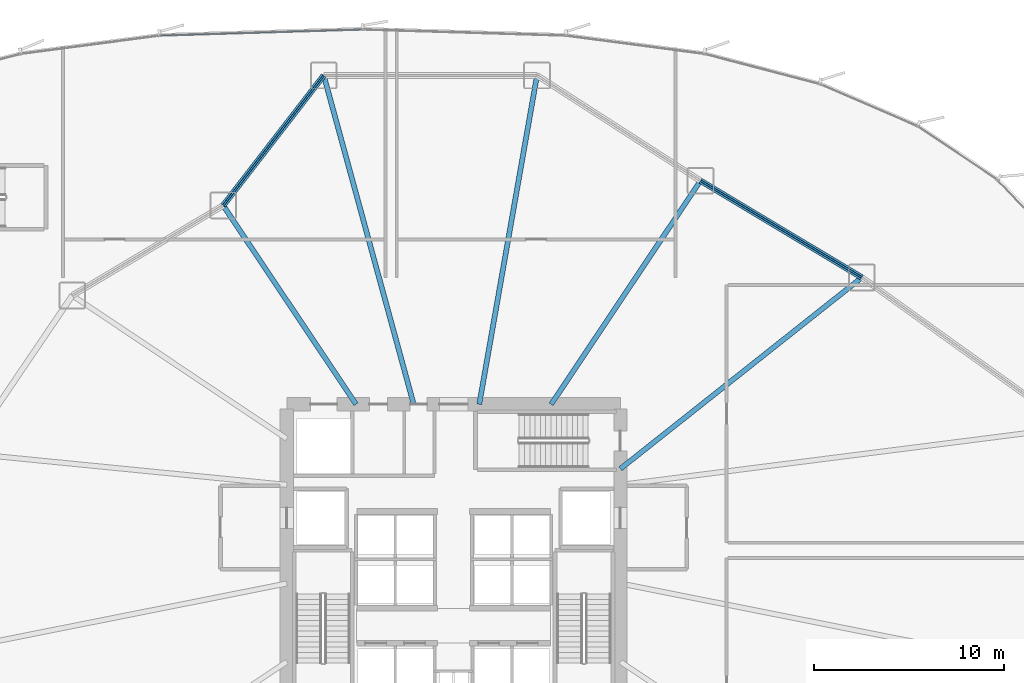
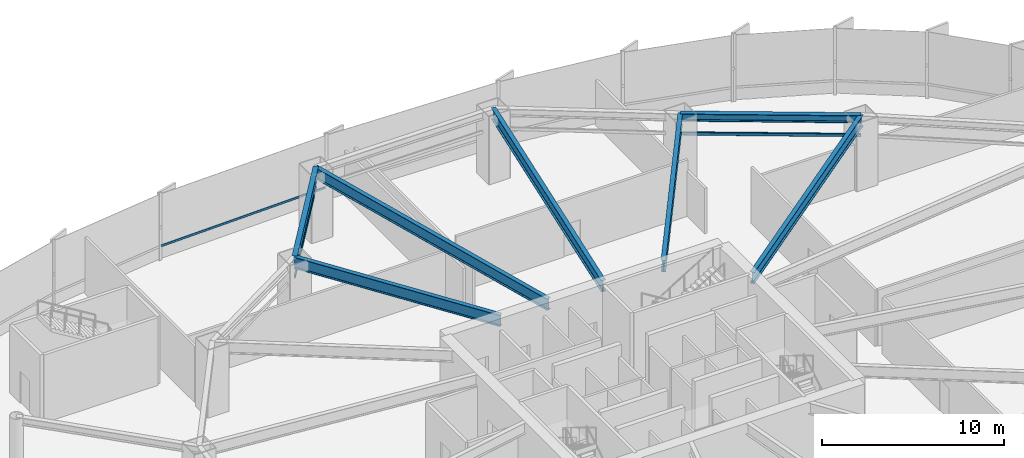
# One storey, part 13 of 34: 9 beams, 1 member, 1 element without a shape of its own.
"""IFC4 building model written with IfcOpenShell, lengths in metres."""

from ifc_helpers import new_model, si_unit, direction, frame, origin, origin_2d, place, context, subcontext, project, spatial, hollow_rectangle, i_section, extrude, source, transform, mapped, material, layer, layer_set, material_profile, profile_set, type_object, element, aggregate, save


model = new_model("IFC4")

# Units and contexts
model_context = context("Model", 3, precision=1e-05, world=origin(), true_north=direction((0.0, 1.0)))
body_context = subcontext(model_context, "Body", "Model", "MODEL_VIEW")
ifc_project = project(units=[si_unit("LENGTHUNIT", "METRE"), si_unit("AREAUNIT", "SQUARE_METRE"), si_unit("VOLUMEUNIT", "CUBIC_METRE"), si_unit("PLANEANGLEUNIT", "RADIAN"), si_unit("MASSUNIT", "GRAM", prefix="KILO"), si_unit("THERMODYNAMICTEMPERATUREUNIT", "KELVIN")], contexts=[model_context])

# Site, building, storey
site_placement = place(None, origin())
site = spatial("IfcSite", under=ifc_project, at=site_placement, CompositionType="ELEMENT")
building_placement = place(site_placement, origin())
building = spatial("IfcBuilding", under=site, at=building_placement, Name="Kethvar Cultural Tower", CompositionType="ELEMENT")
storey_placement = place(building_placement, frame((0.0, 0.0, 5.199951171875)))
storey = spatial("IfcBuildingStorey", under=building, at=storey_placement, Name="L01", CompositionType="ELEMENT", Elevation=5.199951171875)

# Beams
ifc_material_1 = material(Name="Steel S355J2", Category="steel")
ifc_material_profile_1 = material_profile(ifc_material_1, i_section(OverallWidth=0.300048828125, OverallDepth=0.5, WebThickness=0.014404296875, FlangeThickness=0.028076171875, FilletRadius=0.027099609375, at=origin_2d()), Name="Steel S355J2 — HEB500")
ifc_profile_set_1 = profile_set([ifc_material_profile_1], Name="Steel S355J2 — HEB500")
beam_type_1 = type_object("IfcBeamType", Name="BM-SP500", PredefinedType="SPANDREL", material=ifc_profile_set_1)
shared_shape_1 = source(origin(), body_context, "Body", "SweptSolid", [
    extrude(i_section(OverallWidth=0.300048828125, OverallDepth=0.5, WebThickness=0.014404296875, FlangeThickness=0.028076171875, FilletRadius=0.027099609375, at=origin_2d()), origin(), (0.0, 0.0, 1.0), 9.924072265625),
])
beam_1_placement = place(storey_placement, frame((68.33642578125, 42.190185546875, 4.298095703125), z_axis=(-0.857664361463, 0.514209921215, 0.0), x_axis=(-0.514209921215, -0.857664361463, 0.0)))
element("IfcBeam", 1, at=beam_1_placement, inside=storey, type_object=beam_type_1, Name="L01 Podium Ring Beam 02", PredefinedType="SPANDREL", context=body_context, shape_type="MappedRepresentation", body=[
    mapped(shared_shape_1, transform((0.0, 0.0, 0.0), scale=1.0)),
])
shared_shape_2 = source(origin(), body_context, "Body", "SweptSolid", [
    extrude(i_section(OverallWidth=0.300048828125, OverallDepth=0.5, WebThickness=0.014404296875, FlangeThickness=0.028076171875, FilletRadius=0.027099609375, at=origin_2d()), origin(), (0.0, 0.0, 1.0), 8.671630859375),
])
beam_2_placement = place(storey_placement, frame((39.949951171875, 52.85009765625, 4.298095703125), z_axis=(-0.611647801721, -0.791130183124, 0.0), x_axis=(0.791130183124, -0.611647801721, 0.0)))
element("IfcBeam", 2, at=beam_2_placement, inside=storey, type_object=beam_type_1, Name="L01 Podium Ring Beam 05", PredefinedType="SPANDREL", context=body_context, shape_type="MappedRepresentation", body=[
    mapped(shared_shape_2, transform((0.0, 0.0, 0.0), scale=1.0)),
])
ifc_material_profile_2 = material_profile(ifc_material_1, i_section(OverallWidth=0.26708984375, OverallDepth=0.761962890625, WebThickness=0.014404296875, FlangeThickness=0.021484375, FilletRadius=0.01708984375, at=origin_2d()), Name="Steel S355J2 — IPE750x173")
ifc_profile_set_2 = profile_set([ifc_material_profile_2], Name="Steel S355J2 — IPE750x173")
beam_type_2 = type_object("IfcBeamType", Name="BM-IPE750", PredefinedType="BEAM", material=ifc_profile_set_2)
shared_shape_3 = source(origin(), body_context, "Body", "SweptSolid", [
    extrude(i_section(OverallWidth=0.26708984375, OverallDepth=0.761962890625, WebThickness=0.014404296875, FlangeThickness=0.021484375, FilletRadius=0.01708984375, at=origin_2d()), origin(), (0.0, 0.0, 1.0), 16.248779296875),
])
beam_3_placement = place(storey_placement, frame((55.60009765625, 32.10009765625, 4.1669921875), z_axis=(0.783831288624, 0.620973840813, 0.0), x_axis=(-0.620973840813, 0.783831288624, 0.0)))
element("IfcBeam", 3, at=beam_3_placement, inside=storey, type_object=beam_type_2, Name="L01 Podium Radial Girder 02", PredefinedType="BEAM", context=body_context, shape_type="MappedRepresentation", body=[
    mapped(shared_shape_3, transform((0.0, 0.0, 0.0), scale=1.0)),
])
shared_shape_4 = source(origin(), body_context, "Body", "SweptSolid", [
    extrude(i_section(OverallWidth=0.26708984375, OverallDepth=0.761962890625, WebThickness=0.014404296875, FlangeThickness=0.021484375, FilletRadius=0.01708984375, at=origin_2d()), origin(), (0.0, 0.0, 1.0), 14.18359375),
])
beam_4_placement = place(storey_placement, frame((51.945068359375, 35.5, 4.1669921875), z_axis=(0.55556584065, 0.831472547174, 0.0), x_axis=(-0.831472547174, 0.55556584065, 0.0)))
element("IfcBeam", 4, at=beam_4_placement, inside=storey, type_object=beam_type_2, Name="L01 Podium Radial Girder 03", PredefinedType="BEAM", context=body_context, shape_type="MappedRepresentation", body=[
    mapped(shared_shape_4, transform((0.0, 0.0, 0.0), scale=1.0)),
])
shared_shape_5 = source(origin(), body_context, "Body", "SweptSolid", [
    extrude(i_section(OverallWidth=0.26708984375, OverallDepth=0.761962890625, WebThickness=0.014404296875, FlangeThickness=0.021484375, FilletRadius=0.01708984375, at=origin_2d()), origin(), (0.0, 0.0, 1.0), 17.61572265625),
])
beam_5_placement = place(storey_placement, frame((48.152587890625, 35.5, 4.1669921875), z_axis=(0.172991485085, 0.984923319903, 0.0), x_axis=(-0.984923319903, 0.172991485085, 0.0)))
element("IfcBeam", 5, at=beam_5_placement, inside=storey, type_object=beam_type_2, Name="L01 Podium Radial Girder 04", PredefinedType="BEAM", context=body_context, shape_type="MappedRepresentation", body=[
    mapped(shared_shape_5, transform((0.0, 0.0, 0.0), scale=1.0)),
])
shared_shape_6 = source(origin(), body_context, "Body", "SweptSolid", [
    extrude(i_section(OverallWidth=0.26708984375, OverallDepth=0.761962890625, WebThickness=0.014404296875, FlangeThickness=0.021484375, FilletRadius=0.01708984375, at=origin_2d()), origin(), (0.0, 0.0, 1.0), 17.987060546875),
])
beam_6_placement = place(storey_placement, frame((44.6943359375, 35.5, 4.1669921875), z_axis=(-0.26376624534, 0.964586630541, 0.0), x_axis=(-0.964586630541, -0.26376624534, 0.0)))
element("IfcBeam", 6, at=beam_6_placement, inside=storey, type_object=beam_type_2, Name="L01 Podium Radial Girder 05", PredefinedType="BEAM", context=body_context, shape_type="MappedRepresentation", body=[
    mapped(shared_shape_6, transform((0.0, 0.0, 0.0), scale=1.0)),
])
shared_shape_7 = source(origin(), body_context, "Body", "SweptSolid", [
    extrude(i_section(OverallWidth=0.26708984375, OverallDepth=0.761962890625, WebThickness=0.014404296875, FlangeThickness=0.021484375, FilletRadius=0.01708984375, at=origin_2d()), origin(), (0.0, 0.0, 1.0), 12.615966796875),
])
beam_7_placement = place(storey_placement, frame((41.655029296875, 35.5, 4.1669921875), z_axis=(-0.555570723257, 0.831469284736, 0.0), x_axis=(-0.831469284736, -0.555570723257, 0.0)))
element("IfcBeam", 7, at=beam_7_placement, inside=storey, type_object=beam_type_2, Name="L01 Podium Radial Girder 06", PredefinedType="BEAM", context=body_context, shape_type="MappedRepresentation", body=[
    mapped(shared_shape_7, transform((0.0, 0.0, 0.0), scale=1.0)),
])
ifc_material_profile_3 = material_profile(ifc_material_1, hollow_rectangle(XDim=0.10009765625, YDim=0.199951171875, WallThickness=0.008056640625, InnerFilletRadius=0.008056640625, OuterFilletRadius=0.01611328125, at=origin_2d()), Name="Steel S355J2 — RHS200x100x8")
ifc_profile_set_3 = profile_set([ifc_material_profile_3], Name="Steel S355J2 — RHS200x100x8")
beam_type_3 = type_object("IfcBeamType", Name="BM-LN200", PredefinedType="LINTEL", material=ifc_profile_set_3)
shared_shape_8 = source(origin(), body_context, "Body", "SweptSolid", [
    extrude(hollow_rectangle(XDim=0.10009765625, YDim=0.199951171875, WallThickness=0.008056640625, InnerFilletRadius=0.008056640625, OuterFilletRadius=0.01611328125, at=origin_2d()), origin(), (0.0, 0.0, 1.0), 9.924072265625),
])
beam_8_placement = place(storey_placement, frame((68.33642578125, 42.190185546875, 3.150146484375), z_axis=(-0.857664361463, 0.514209921215, 0.0), x_axis=(-0.514209921215, -0.857664361463, 0.0)))
element("IfcBeam", 8, at=beam_8_placement, inside=storey, type_object=beam_type_3, Name="L01 Header Lintel LN-08", PredefinedType="LINTEL", context=body_context, shape_type="MappedRepresentation", body=[
    mapped(shared_shape_8, transform((0.0, 0.0, 0.0), scale=1.0)),
])
shared_shape_9 = source(origin(), body_context, "Body", "SweptSolid", [
    extrude(hollow_rectangle(XDim=0.10009765625, YDim=0.199951171875, WallThickness=0.008056640625, InnerFilletRadius=0.008056640625, OuterFilletRadius=0.01611328125, at=origin_2d()), origin(), (0.0, 0.0, 1.0), 8.671630859375),
])
beam_9_placement = place(storey_placement, frame((39.949951171875, 52.85009765625, 3.150146484375), z_axis=(-0.611647801721, -0.791130183124, 0.0), x_axis=(0.791130183124, -0.611647801721, 0.0)))
element("IfcBeam", 9, at=beam_9_placement, inside=storey, type_object=beam_type_3, Name="L01 Header Lintel LN-11", PredefinedType="LINTEL", context=body_context, shape_type="MappedRepresentation", body=[
    mapped(shared_shape_9, transform((0.0, 0.0, 0.0), scale=1.0)),
])

# Curtain wall, member
ifc_material_2 = material(Name="Aluminium 6063-T6", Category="aluminium")
ifc_layer = layer(ifc_material_2, 0.179931640625, Name="Aluminium 6063-T6", Category="aluminium")
ifc_layer_set = layer_set([ifc_layer], Name="Aluminium 6063-T6 (180 mm)")
curtain_wall_type = type_object("IfcCurtainWallType", Name="CW-SYS-01-POD", PredefinedType="NOTDEFINED", material=ifc_layer_set)
curtain_wall_placement = place(storey_placement, origin())
curtain_wall = element("IfcCurtainWall", 10, at=curtain_wall_placement, inside=storey, type_object=curtain_wall_type, Name="L01 Curtain Wall Run 02", PredefinedType="NOTDEFINED")
ifc_material_profile_4 = material_profile(ifc_material_2, hollow_rectangle(XDim=0.06005859375, YDim=0.139892578125, WallThickness=0.0048828125, at=origin_2d()), Name="Aluminium 6063-T6 — RHS140x60x5")
ifc_profile_set_4 = profile_set([ifc_material_profile_4], Name="Aluminium 6063-T6 — RHS140x60x5")
member_type = type_object("IfcMemberType", Name="CW-SYS-01-POD-TRN", PredefinedType="USERDEFINED", material=ifc_profile_set_4)
shared_shape_10 = source(origin(), body_context, "Body", "SweptSolid", [
    extrude(hollow_rectangle(XDim=0.06005859375, YDim=0.139892578125, WallThickness=0.0048828125, at=origin_2d()), origin(), (0.0, 0.0, 1.0), 10.61279296875),
])
member_placement = place(storey_placement, frame((41.949951171875, 55.268310546875, 0.949951171875), z_axis=(-0.999545810513, -0.030135903608, 0.0), x_axis=(0.030135903608, -0.999545810513, 0.0)))
member = element("IfcMember", 11, at=member_placement, type_object=member_type, Name="CW-L01-R02 Transom 4", ObjectType="TRANSOM", PredefinedType="USERDEFINED", context=body_context, shape_type="MappedRepresentation", body=[
    mapped(shared_shape_10, transform((0.0, 0.0, 0.0), scale=1.0)),
])
aggregate(curtain_wall, [member])

save(model, "model.ifc")
